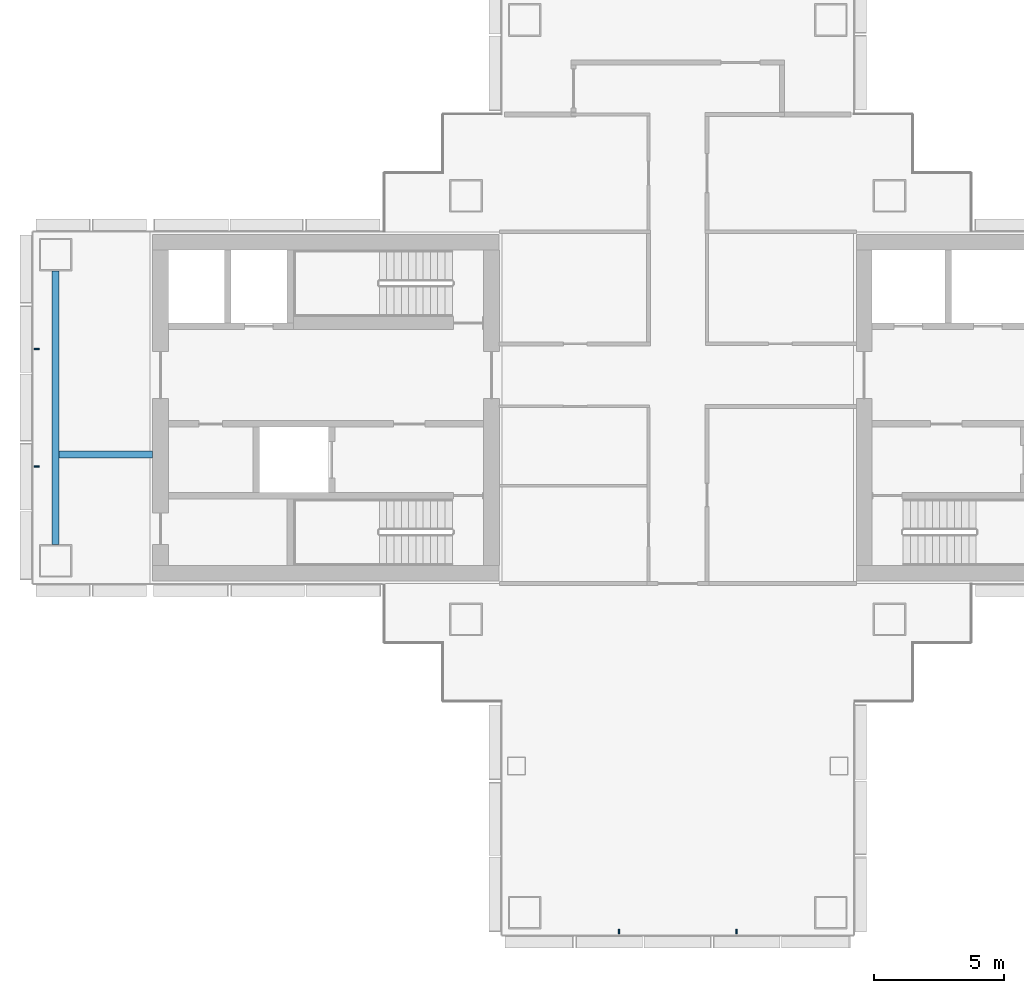
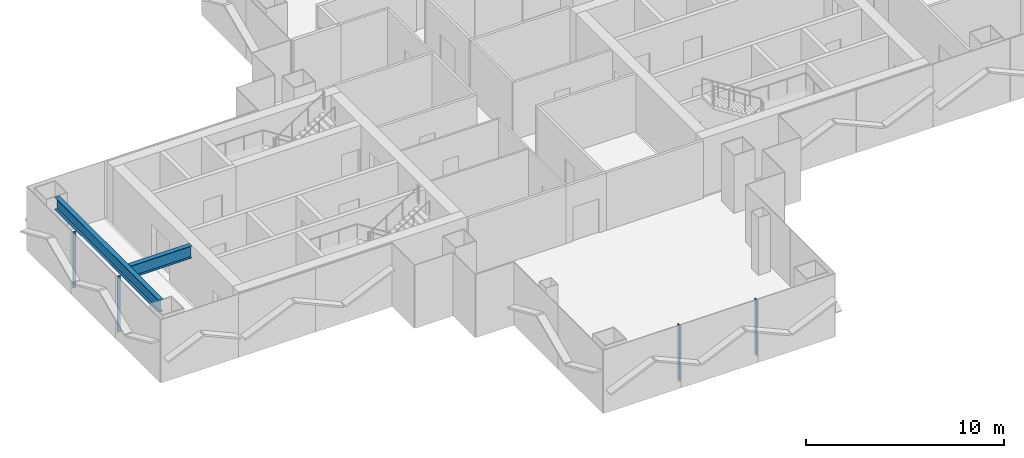
# One storey, part 3 of 19: 4 members, 2 beams, 2 elements without a shape of their own.
"""IFC4 building model written with IfcOpenShell, lengths in metres."""

from ifc_helpers import new_model, si_unit, direction, frame, origin, origin_2d, place, context, subcontext, project, spatial, rectangle, i_section, extrude, material, layer, layer_set, material_profile, profile_set, type_object, element, aggregate, save


model = new_model("IFC4")

# Units and contexts
model_context = context("Model", 3, precision=1e-05, world=origin(), true_north=direction((0.0, 1.0)))
body_context = subcontext(model_context, "Body", "Model", "MODEL_VIEW")
ifc_project = project(units=[si_unit("LENGTHUNIT", "METRE"), si_unit("AREAUNIT", "SQUARE_METRE"), si_unit("VOLUMEUNIT", "CUBIC_METRE"), si_unit("PLANEANGLEUNIT", "RADIAN"), si_unit("MASSUNIT", "GRAM", prefix="KILO")], contexts=[model_context])

# Site, building, storey
site_placement = place(None, origin())
site = spatial("IfcSite", under=ifc_project, at=site_placement, CompositionType="ELEMENT")
building_placement = place(site_placement, origin())
building = spatial("IfcBuilding", under=site, at=building_placement, Name="Shamsa Quay Exchange Towers", CompositionType="ELEMENT")
storey_placement = place(building_placement, frame((0.0, 0.0, 89.699951171875)))
storey = spatial("IfcBuildingStorey", under=building, at=storey_placement, Name="L20", CompositionType="ELEMENT", Elevation=89.699951171875)

# Curtain wall, members
ifc_material_1 = material(Name="Aluminium EN AW-6063 T6, black anodised", Category="aluminium")
ifc_layer = layer(ifc_material_1, 0.280029296875)
ifc_layer_set = layer_set([ifc_layer], Name="CW-1 UNITISED VISION GLASS")
curtain_wall_type = type_object("IfcCurtainWallType", Name="CW-1 UNITISED VISION GLASS", PredefinedType="NOTDEFINED", material=ifc_layer_set)
curtain_wall_1_placement = place(storey_placement, origin())
curtain_wall_1 = element("IfcCurtainWall", 1, at=curtain_wall_1_placement, inside=storey, type_object=curtain_wall_type, Name="CW1 T1-END-V- L20", PredefinedType="NOTDEFINED")
ifc_material_profile_1 = material_profile(ifc_material_1, rectangle(XDim=0.179931640625, YDim=0.06005859375, at=origin_2d()), Name="MU60x180")
ifc_profile_set_1 = profile_set([ifc_material_profile_1], Name="Aluminium EN AW-6063 T6, black anodised")
member_type = type_object("IfcMemberType", Name="CW1 MULLION 60x180", PredefinedType="MULLION", material=ifc_profile_set_1)
member_1_placement = place(storey_placement, frame((-36.0, -20.10009765625, 0.0), z_axis=(0.0, 0.0, 1.0), x_axis=(0.0, 1.0, 0.0)))
member_1 = element("IfcMember", 2, at=member_1_placement, type_object=member_type, Name="CW1 mullion", PredefinedType="MULLION", context=body_context, shape_type="SweptSolid", body=[
    extrude(rectangle(XDim=0.179931640625, YDim=0.06005859375, at=origin_2d()), origin(), (0.0, 0.0, 1.0), 3.449951171875),
])
member_2_placement = place(storey_placement, frame((-31.5, -20.10009765625, 0.0), z_axis=(0.0, 0.0, 1.0), x_axis=(0.0, 1.0, 0.0)))
member_2 = element("IfcMember", 3, at=member_2_placement, type_object=member_type, Name="CW1 mullion", PredefinedType="MULLION", context=body_context, shape_type="SweptSolid", body=[
    extrude(rectangle(XDim=0.179931640625, YDim=0.06005859375, at=origin_2d()), origin(), (0.0, 0.0, 1.0), 3.449951171875),
])
aggregate(curtain_wall_1, [member_1, member_2])

curtain_wall_2_placement = place(storey_placement, origin())
curtain_wall_2 = element("IfcCurtainWall", 4, at=curtain_wall_2_placement, inside=storey, type_object=curtain_wall_type, Name="CW1 T1-END-U- L20", PredefinedType="NOTDEFINED")
member_3_placement = place(storey_placement, frame((-58.35009765625, 2.25, 0.0)))
member_3 = element("IfcMember", 5, at=member_3_placement, type_object=member_type, Name="CW1 mullion", PredefinedType="MULLION", context=body_context, shape_type="SweptSolid", body=[
    extrude(rectangle(XDim=0.179931640625, YDim=0.06005859375, at=origin_2d()), origin(), (0.0, 0.0, 1.0), 3.449951171875),
])
member_4_placement = place(storey_placement, frame((-58.35009765625, -2.25, 0.0)))
member_4 = element("IfcMember", 6, at=member_4_placement, type_object=member_type, Name="CW1 mullion", PredefinedType="MULLION", context=body_context, shape_type="SweptSolid", body=[
    extrude(rectangle(XDim=0.179931640625, YDim=0.06005859375, at=origin_2d()), origin(), (0.0, 0.0, 1.0), 3.449951171875),
])
aggregate(curtain_wall_2, [member_3, member_4])

# Beams
ifc_material_2 = material(Name="Steel S355", Category="steel")
ifc_material_profile_2 = material_profile(ifc_material_2, i_section(OverallWidth=0.26611328125, OverallDepth=0.7578125, WebThickness=0.013916015625, FlangeThickness=0.019287109375, at=origin_2d()), Name="W30x108")
ifc_profile_set_2 = profile_set([ifc_material_profile_2], Name="Steel S355")
beam_type = type_object("IfcBeamType", Name="End-zone beam W30x108", PredefinedType="BEAM", material=ifc_profile_set_2)
beam_1_placement = place(storey_placement, frame((-57.625, -5.25, 3.171142578125), z_axis=(0.0, 1.0, 0.0), x_axis=(-1.0, 0.0, 0.0)))
element("IfcBeam", 7, at=beam_1_placement, inside=storey, type_object=beam_type, Name="End beam T1 U- end zone L20", PredefinedType="BEAM", context=body_context, shape_type="SweptSolid", body=[
    extrude(i_section(OverallWidth=0.26611328125, OverallDepth=0.7578125, WebThickness=0.013916015625, FlangeThickness=0.019287109375, at=origin_2d()), origin(), (0.0, 0.0, 1.0), 10.5),
])
beam_2_placement = place(storey_placement, frame((-53.89990234375, -1.800048828125, 3.171142578125), z_axis=(-1.0, 0.0, 0.0), x_axis=(0.0, -1.0, 0.0)))
element("IfcBeam", 8, at=beam_2_placement, inside=storey, type_object=beam_type, Name="Spine beam T1 U- end zone L20", PredefinedType="BEAM", context=body_context, shape_type="SweptSolid", body=[
    extrude(i_section(OverallWidth=0.26611328125, OverallDepth=0.7578125, WebThickness=0.013916015625, FlangeThickness=0.019287109375, at=origin_2d()), origin(), (0.0, 0.0, 1.0), 3.592041015625),
])

save(model, "model.ifc")
